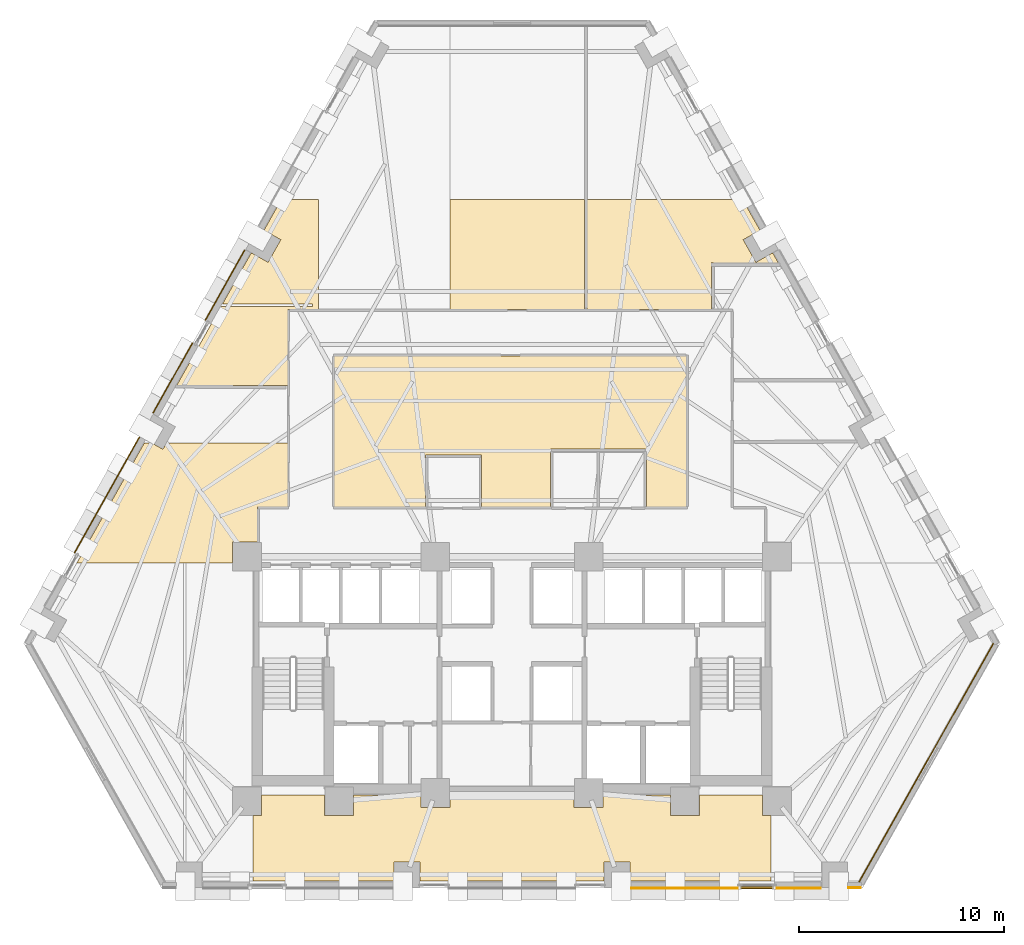
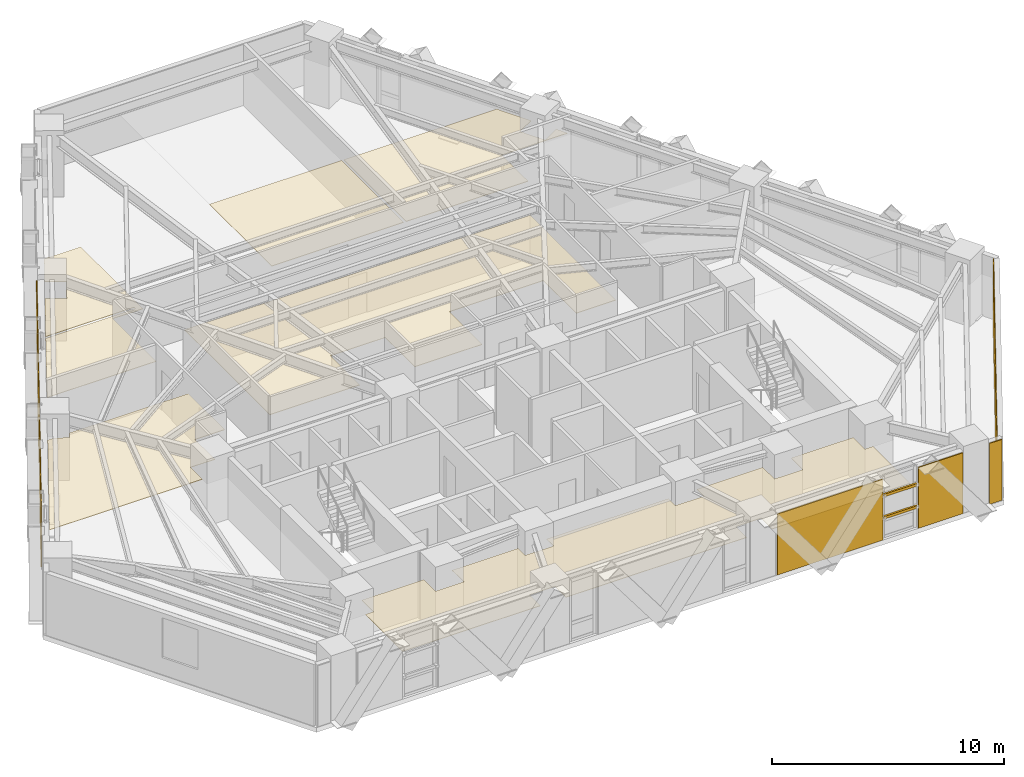
# One storey, part 11 of 13: 13 coverings, 2 shading devices.
"""IFC4 building model written with IfcOpenShell, lengths in metres."""

from ifc_helpers import new_model, si_unit, direction, frame, origin, origin_2d, place, context, subcontext, project, spatial, polyline, rectangle, outline, extrude, material, layer, layer_set, material_profile, profile_set, type_object, element, save


model = new_model("IFC4")

# Units and contexts
model_context = context("Model", 3, precision=1e-05, world=origin(), true_north=direction((0.0, 1.0)))
body_context = subcontext(model_context, "Body", "Model", "MODEL_VIEW")
ifc_project = project(units=[si_unit("LENGTHUNIT", "METRE"), si_unit("AREAUNIT", "SQUARE_METRE"), si_unit("VOLUMEUNIT", "CUBIC_METRE"), si_unit("PLANEANGLEUNIT", "RADIAN"), si_unit("MASSUNIT", "GRAM", prefix="KILO")], contexts=[model_context])

# Site, building, storey
site_placement = place(None, origin())
site = spatial("IfcSite", under=ifc_project, at=site_placement, CompositionType="ELEMENT")
building_placement = place(site_placement, origin())
building = spatial("IfcBuilding", under=site, at=building_placement, Name="Quenlor Broadcast Tower", CompositionType="ELEMENT")
storey_placement = place(building_placement, frame((0.0, 0.0, 48.60009765625)))
storey = spatial("IfcBuildingStorey", under=building, at=storey_placement, Name="L12", CompositionType="ELEMENT", Elevation=48.60009765625)

# Coverings
ifc_material_1 = material(Name="Acoustic Mineral Fibre Board", Category="other")
ifc_layer_1 = layer(ifc_material_1, 0.02490234375)
ifc_layer_set_1 = layer_set([ifc_layer_1], Name="Acoustic Perforated Mineral Tile Ceiling 25")
covering_type_1 = type_object("IfcCoveringType", Name="Acoustic Perforated Mineral Tile Ceiling 25", PredefinedType="CEILING", material=ifc_layer_set_1)
covering_1_placement = place(storey_placement, frame((0.0, 0.0, 2.224853515625)))
element("IfcCovering", 1, at=covering_1_placement, inside=storey, type_object=covering_type_1, Name="L12 Acoustic Ceiling L12-31", PredefinedType="CEILING", context=body_context, shape_type="SweptSolid", body=[
    extrude(outline(polyline([(-3.0400390625, 12.64990234375), (3.5400390625, 12.64990234375), (3.5400390625, 7.280029296875), (-3.0400390625, 7.280029296875), (-3.0400390625, 12.64990234375)])), origin(), (0.0, 0.0, 1.0), 0.025146484375),
])
covering_2_placement = place(storey_placement, frame((0.0, 0.0, 2.224853515625)))
element("IfcCovering", 2, at=covering_2_placement, inside=storey, type_object=covering_type_1, Name="L12 Acoustic Ceiling L12-32", PredefinedType="CEILING", context=body_context, shape_type="SweptSolid", body=[
    extrude(outline(polyline([(12.941162109375, 9.550048828125), (9.860107421875, 9.550048828125), (9.830810546875, 9.552978515625), (9.802490234375, 9.561279296875), (9.776611328125, 9.5751953125), (9.75390625, 9.593994140625), (9.739990234375, 9.6103515625), (9.739990234375, 7.280029296875), (3.659912109375, 7.280029296875), (3.659912109375, 12.64990234375), (11.276611328125, 12.64990234375), (12.122802734375, 11.154541015625), (11.301025390625, 10.6923828125), (11.921630859375, 9.5888671875), (12.74365234375, 10.05126953125), (13.0146484375, 9.5693359375), (12.9990234375, 9.561767578125), (12.970703125, 9.552978515625), (12.941162109375, 9.550048828125)])), origin(), (0.0, 0.0, 1.0), 0.025146484375),
])
covering_3_placement = place(storey_placement, frame((0.0, 0.0, 2.224853515625)))
element("IfcCovering", 3, at=covering_3_placement, inside=storey, type_object=covering_type_1, Name="L12 Acoustic Ceiling L12-33", PredefinedType="CEILING", context=body_context, shape_type="SweptSolid", body=[
    extrude(outline(polyline([(-14.14501953125, 7.56005859375), (-12.74365234375, 10.05126953125), (-11.921630859375, 9.5888671875), (-11.301025390625, 10.6923828125), (-12.122802734375, 11.154541015625), (-11.28173828125, 12.64990234375), (-9.4599609375, 12.64990234375), (-9.4599609375, 7.280029296875), (-10.955078125, 7.280029296875), (-10.955078125, 3.56005859375), (-16.39501953125, 3.56005859375), (-14.21240234375, 7.43994140625), (-9.75, 7.43994140625), (-9.75, 7.56005859375), (-14.14501953125, 7.56005859375)])), origin(), (0.0, 0.0, 1.0), 0.025146484375),
])
covering_4_placement = place(storey_placement, frame((0.0, 0.0, 2.224853515625)))
element("IfcCovering", 4, at=covering_4_placement, inside=storey, type_object=covering_type_1, Name="L12 Acoustic Ceiling L12-37", PredefinedType="CEILING", context=body_context, shape_type="SweptSolid", body=[
    extrude(outline(polyline([(8.544921875, 5.02001953125), (8.544921875, -2.3701171875), (6.570068359375, -2.3701171875), (6.570068359375, 0.469970703125), (1.8798828125, 0.469970703125), (1.8798828125, -2.3701171875), (-1.47998046875, -2.3701171875), (-1.47998046875, 0.169921875), (-4.219970703125, 0.169921875), (-4.219970703125, -2.3701171875), (-8.695068359375, -2.3701171875), (-8.695068359375, 5.02001953125), (8.544921875, 5.02001953125)])), origin(), (0.0, 0.0, 1.0), 0.025146484375),
])
covering_5_placement = place(storey_placement, frame((0.0, 0.0, 2.224853515625)))
element("IfcCovering", 5, at=covering_5_placement, inside=storey, type_object=covering_type_1, Name="L12 Acoustic Ceiling L12-38", PredefinedType="CEILING", context=body_context, shape_type="SweptSolid", body=[
    extrude(outline(polyline([(-16.88818359375, 0.759765625), (-10.955078125, 0.759765625), (-10.955078125, -2.3701171875), (-12.43994140625, -2.3701171875), (-12.43994140625, -4.092041015625), (-13.657958984375, -4.092041015625), (-13.657958984375, -5.1201171875), (-15.93994140625, -5.1201171875), (-16.06005859375, -5.1201171875), (-21.27734375, -5.1201171875), (-17.97021484375, 0.759765625), (-17.61376953125, 0.759765625), (-17.0625, 0.44970703125), (-16.88818359375, 0.759765625)])), origin(), (0.0, 0.0, 1.0), 0.025146484375),
])
covering_6_placement = place(storey_placement, frame((0.0, 0.0, 2.224853515625)))
element("IfcCovering", 6, at=covering_6_placement, inside=storey, type_object=covering_type_1, Name="L12 Acoustic Ceiling L12-38-6", PredefinedType="CEILING", context=body_context, shape_type="SweptSolid", body=[
    extrude(outline(polyline([(-12.241943359375, -17.4580078125), (-12.241943359375, -16.449951171875), (-9.157958984375, -16.449951171875), (-9.157958984375, -17.4580078125), (-7.741943359375, -17.4580078125), (-7.741943359375, -16.449951171875), (-4.4580078125, -16.449951171875), (-4.4580078125, -17.05810546875), (-3.0419921875, -17.05810546875), (-3.0419921875, -16.449951171875), (3.0419921875, -16.449951171875), (3.0419921875, -17.05810546875), (4.4580078125, -17.05810546875), (4.4580078125, -16.449951171875), (7.741943359375, -16.449951171875), (7.741943359375, -17.4580078125), (9.157958984375, -17.4580078125), (9.157958984375, -16.449951171875), (12.241943359375, -16.449951171875), (12.241943359375, -17.4580078125), (12.64990234375, -17.4580078125), (12.64990234375, -20.659912109375), (5.773681640625, -20.659912109375), (5.773681640625, -19.717041015625), (4.5078125, -19.717041015625), (4.5078125, -20.659912109375), (-4.5078125, -20.659912109375), (-4.5078125, -19.717041015625), (-5.773681640625, -19.717041015625), (-5.773681640625, -20.659912109375), (-12.64990234375, -20.659912109375), (-12.64990234375, -17.4580078125), (-12.241943359375, -17.4580078125)])), origin(), (0.0, 0.0, 1.0), 0.025146484375),
])

# Shading devices
ifc_material_2 = material(Name="Architectural Terracotta Ceramic", Category="masonry")
ifc_material_profile = material_profile(ifc_material_2, rectangle(XDim=0.090087890625, YDim=0.139892578125, at=origin_2d()))
ifc_profile_set = profile_set([ifc_material_profile], Name="Architectural Terracotta Ceramic BAG90x140")
shading_device_type = type_object("IfcShadingDeviceType", Name="Copper Terracotta Baguette Solar Screen 140", PredefinedType="USERDEFINED", material=ifc_profile_set)
for number, where, z_axis, x_axis, name in (
    (7, (12.794921875, -20.98291015625, 1.169921875), (-1.0, 0.0, 0.0), (0.0, -1.0, 0.0), "L12 Terracotta Baguette Screen 1"),
    (8, (12.794921875, -20.98291015625, 2.33984375), (-1.0, 0.0, 0.0), (0.0, -1.0, 0.0), "L12 Terracotta Baguette Screen 2"),
):
    element("IfcShadingDevice", number, at=place(storey_placement, frame(where, z_axis=z_axis, x_axis=x_axis)), inside=storey, type_object=shading_device_type, Name=name, ObjectType="BAGUETTE", PredefinedType="USERDEFINED", context=body_context, shape_type="SweptSolid", body=[
        extrude(rectangle(XDim=0.090087890625, YDim=0.139892578125, at=origin_2d()), origin(), (0.0, 0.0, 1.0), 1.6484375),
    ])

# Coverings
ifc_material_3 = material(Name="Architectural Terracotta Ceramic", Category="masonry")
ifc_layer_2 = layer(ifc_material_3, 0.044921875)
ifc_layer_set_2 = layer_set([ifc_layer_2], Name="Fluted Terracotta Rainscreen Cladding Panel")
covering_type_2 = type_object("IfcCoveringType", Name="Fluted Terracotta Rainscreen Cladding Panel", PredefinedType="CLADDING", material=ifc_layer_set_2)
covering_7_placement = place(storey_placement, frame((0.0, 0.0, 0.02001953125)))
element("IfcCovering", 9, at=covering_7_placement, inside=storey, type_object=covering_type_2, Name="L12 Terracotta Rainscreen Cladding L12-SHD-SS0", PredefinedType="CLADDING", context=body_context, shape_type="SweptSolid", body=[
    extrude(outline(polyline([(17.0458984375, -20.951904296875), (16.425048828125, -20.951904296875), (16.425048828125, -20.9970703125), (17.0458984375, -20.9970703125), (17.0458984375, -20.951904296875)])), origin(), (0.0, 0.0, 1.0), 3.2099609375),
])
covering_8_placement = place(storey_placement, frame((0.0, 0.0, 0.02001953125)))
element("IfcCovering", 10, at=covering_8_placement, inside=storey, type_object=covering_type_2, Name="L12 Terracotta Rainscreen Cladding L12-SA-SP1", PredefinedType="CLADDING", context=body_context, shape_type="SweptSolid", body=[
    extrude(outline(polyline([(15.085205078125, -20.98193359375), (12.864990234375, -20.98193359375), (12.864990234375, -21.027099609375), (15.085205078125, -21.027099609375), (15.085205078125, -20.98193359375)])), origin(), (0.0, 0.0, 1.0), 3.2099609375),
])
covering_9_placement = place(storey_placement, frame((0.0, 0.0, 0.02001953125)))
element("IfcCovering", 11, at=covering_9_placement, inside=storey, type_object=covering_type_2, Name="L12 Terracotta Rainscreen Cladding L12-SA-SP2", PredefinedType="CLADDING", context=body_context, shape_type="SweptSolid", body=[
    extrude(outline(polyline([(11.07666015625, -20.98193359375), (5.82080078125, -20.98193359375), (5.82080078125, -21.027099609375), (11.07666015625, -21.027099609375), (11.07666015625, -20.98193359375)])), origin(), (0.0, 0.0, 1.0), 3.2099609375),
])
covering_10_placement = place(storey_placement, frame((0.0, 0.0, 0.02001953125)))
element("IfcCovering", 12, at=covering_10_placement, inside=storey, type_object=covering_type_2, Name="L12 Terracotta Rainscreen Cladding L12-NWA-SP2", PredefinedType="CLADDING", context=body_context, shape_type="SweptSolid", body=[
    extrude(outline(polyline([(-21.36669921875, -4.621826171875), (-18.18798828125, 1.029052734375), (-18.227294921875, 1.051025390625), (-21.406005859375, -4.599853515625), (-21.36669921875, -4.621826171875)])), origin(), (0.0, 0.0, 1.0), 3.2099609375),
])
covering_11_placement = place(storey_placement, frame((0.0, 0.0, 0.02001953125)))
element("IfcCovering", 13, at=covering_11_placement, inside=storey, type_object=covering_type_2, Name="L12 Terracotta Rainscreen Cladding L12-NW-SP1", PredefinedType="CLADDING", context=body_context, shape_type="SweptSolid", body=[
    extrude(outline(polyline([(-17.523681640625, 2.2099609375), (-15.595458984375, 5.63818359375), (-15.634765625, 5.66015625), (-17.56298828125, 2.23193359375), (-17.523681640625, 2.2099609375)])), origin(), (0.0, 0.0, 1.0), 3.2099609375),
])
covering_12_placement = place(storey_placement, frame((0.0, 0.0, 0.02001953125)))
element("IfcCovering", 14, at=covering_12_placement, inside=storey, type_object=covering_type_2, Name="L12 Terracotta Rainscreen Cladding L12-NW-SP2", PredefinedType="CLADDING", context=body_context, shape_type="SweptSolid", body=[
    extrude(outline(polyline([(-14.97314453125, 6.744384765625), (-13.044921875, 10.172607421875), (-13.083984375, 10.194580078125), (-15.012451171875, 6.766357421875), (-14.97314453125, 6.744384765625)])), origin(), (0.0, 0.0, 1.0), 3.2099609375),
])
covering_13_placement = place(storey_placement, frame((0.0, 0.0, 0.02001953125)))
element("IfcCovering", 15, at=covering_13_placement, inside=storey, type_object=covering_type_2, Name="L12 Terracotta Rainscreen Cladding L12-CNR-06", PredefinedType="CLADDING", context=body_context, shape_type="SweptSolid", body=[
    extrude(outline(polyline([(16.98388671875, -20.71533203125), (23.547607421875, -9.046875), (23.50830078125, -9.02490234375), (16.94482421875, -20.693359375), (16.98388671875, -20.71533203125)])), origin(), (0.0, 0.0, 1.0), 3.2099609375),
])

save(model, "model.ifc")
